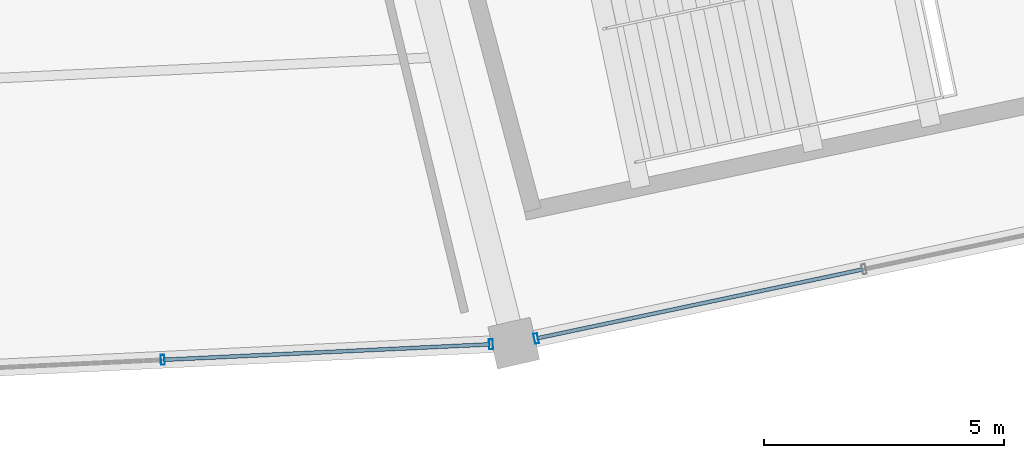
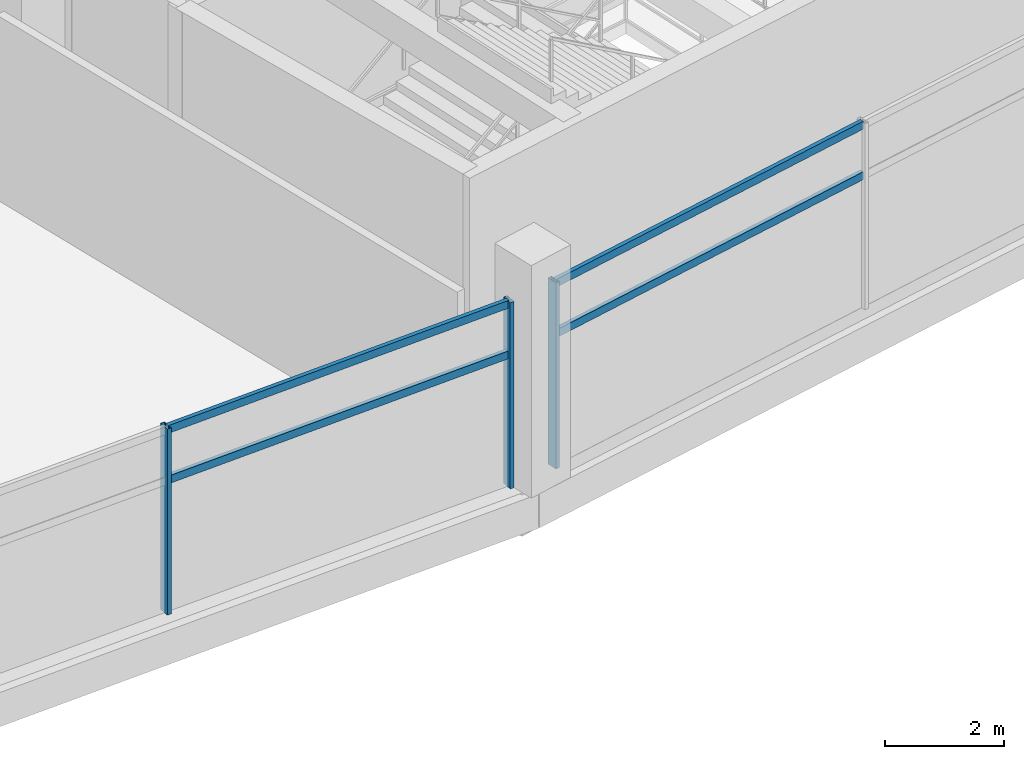
# One storey, part 30 of 171: 7 members, 2 elements without a shape of their own.
"""IFC4 building model written with IfcOpenShell, lengths in metres."""

from ifc_helpers import new_model, si_unit, direction, frame, origin, origin_2d, place, context, subcontext, project, spatial, hollow_rectangle, extrude, material, layer, layer_set, material_profile, profile_set, type_object, element, aggregate, save


model = new_model("IFC4")

# Units and contexts
model_context = context("Model", 3, precision=1e-05, world=origin(), true_north=direction((0.0, 1.0)))
body_context = subcontext(model_context, "Body", "Model", "MODEL_VIEW")
ifc_project = project(units=[si_unit("LENGTHUNIT", "METRE"), si_unit("AREAUNIT", "SQUARE_METRE"), si_unit("VOLUMEUNIT", "CUBIC_METRE"), si_unit("PLANEANGLEUNIT", "RADIAN"), si_unit("MASSUNIT", "GRAM", prefix="KILO")], contexts=[model_context])

# Site, building, storey
site_placement = place(None, origin())
site = spatial("IfcSite", under=ifc_project, at=site_placement, CompositionType="ELEMENT")
building_placement = place(site_placement, origin())
building = spatial("IfcBuilding", under=site, at=building_placement, Name="Kazemori Nagisa Stadium", CompositionType="ELEMENT")
storey_placement = place(building_placement, frame((0.0, 0.0, 15.639892578125)))
storey = spatial("IfcBuildingStorey", under=building, at=storey_placement, Name="L03", CompositionType="ELEMENT", Elevation=15.639892578125)

# Curtain wall, members
ifc_material_1 = material(Name="Anodised aluminium 6063-T5", Category="aluminium")
ifc_layer_1 = layer(ifc_material_1, 0.2099609375, Name="Anodised aluminium 6063-T5", Category="aluminium")
ifc_layer_set_1 = layer_set([ifc_layer_1], Name="Anodised aluminium 6063-T5")
curtain_wall_type_1 = type_object("IfcCurtainWallType", Name="CW_L03R3_103", PredefinedType="USERDEFINED", material=ifc_layer_set_1)
curtain_wall_1_placement = place(storey_placement, origin())
curtain_wall_1 = element("IfcCurtainWall", 1, at=curtain_wall_1_placement, inside=storey, type_object=curtain_wall_type_1, Name="Unitised curtain wall CW-L03R3-103 L03", ObjectType="UNITISED CURTAIN WALL", PredefinedType="USERDEFINED")
ifc_material_2 = material(Name="Aluminium 6063-T5 anodised", Category="aluminium")
ifc_material_profile_1 = material_profile(ifc_material_2, hollow_rectangle(XDim=0.080078125, YDim=0.2099609375, WallThickness=0.0048828125, at=origin_2d()), Name="ALU-MULL-80x210x5")
ifc_profile_set_1 = profile_set([ifc_material_profile_1], Name="Aluminium 6063-T5 anodised")
member_type_1 = type_object("IfcMemberType", Name="Mullion_M02", PredefinedType="MULLION", material=ifc_profile_set_1)
member_1_placement = place(storey_placement, frame((137.126953125, 16.66796875, 0.0), z_axis=(0.0, 0.0, 1.0), x_axis=(0.998884022476, 0.047230388971, 0.0)))
member_1 = element("IfcMember", 2, at=member_1_placement, type_object=member_type_1, Name="Curtain wall mullion CW-L03R3-103-M3", PredefinedType="MULLION", context=body_context, shape_type="SweptSolid", body=[
    extrude(hollow_rectangle(XDim=0.080078125, YDim=0.2099609375, WallThickness=0.0048828125, at=origin_2d()), origin(), (0.0, 0.0, 1.0), 3.81005859375),
])
member_2_placement = place(storey_placement, frame((143.953125, 16.99072265625, 0.0), z_axis=(0.0, 0.0, 1.0), x_axis=(0.998884022476, 0.047230388971, 0.0)))
member_2 = element("IfcMember", 3, at=member_2_placement, type_object=member_type_1, Name="Curtain wall mullion CW-L03R3-103-M4", PredefinedType="MULLION", context=body_context, shape_type="SweptSolid", body=[
    extrude(hollow_rectangle(XDim=0.080078125, YDim=0.2099609375, WallThickness=0.0048828125, at=origin_2d()), origin(), (0.0, 0.0, 1.0), 3.81005859375),
])

# Curtain wall, member
ifc_layer_2 = layer(ifc_material_1, 0.2099609375, Name="Anodised aluminium 6063-T5", Category="aluminium")
ifc_layer_set_2 = layer_set([ifc_layer_2], Name="Anodised aluminium 6063-T5")
curtain_wall_type_2 = type_object("IfcCurtainWallType", Name="CW_L03R3_105", PredefinedType="USERDEFINED", material=ifc_layer_set_2)
curtain_wall_2_placement = place(storey_placement, origin())
curtain_wall_2 = element("IfcCurtainWall", 4, at=curtain_wall_2_placement, inside=storey, type_object=curtain_wall_type_2, Name="Unitised curtain wall CW-L03R3-105 L03", ObjectType="UNITISED CURTAIN WALL", PredefinedType="USERDEFINED")
member_3_placement = place(storey_placement, frame((144.892333984375, 17.111572265625, 0.0), z_axis=(0.0, 0.0, 1.0), x_axis=(0.978344955407, 0.206981033502, 0.0)))
member_3 = element("IfcMember", 5, at=member_3_placement, type_object=member_type_1, Name="Curtain wall mullion CW-L03R3-105-M1", PredefinedType="MULLION", context=body_context, shape_type="SweptSolid", body=[
    extrude(hollow_rectangle(XDim=0.080078125, YDim=0.2099609375, WallThickness=0.0048828125, at=origin_2d()), origin(), (0.0, 0.0, 1.0), 3.81005859375),
])

# Member
ifc_material_profile_2 = material_profile(ifc_material_2, hollow_rectangle(XDim=0.080078125, YDim=0.159912109375, WallThickness=0.00390625, at=origin_2d()), Name="ALU-TRAN-80x160x4")
ifc_profile_set_2 = profile_set([ifc_material_profile_2], Name="Aluminium 6063-T5 anodised")
member_type_2 = type_object("IfcMemberType", Name="Transom_T02", PredefinedType="USERDEFINED", material=ifc_profile_set_2)
member_4_placement = place(storey_placement, frame((137.14697265625, 16.6689453125, 2.705322265625), z_axis=(0.998884581669, 0.047218561007, 0.0), x_axis=(-0.047218561007, 0.998884581669, 0.0)))
member_4 = element("IfcMember", 6, at=member_4_placement, type_object=member_type_2, Name="Curtain wall transom CW-L03R3-103-T3-mid", ObjectType="TRANSOM", PredefinedType="USERDEFINED", context=body_context, shape_type="SweptSolid", body=[
    extrude(hollow_rectangle(XDim=0.080078125, YDim=0.159912109375, WallThickness=0.00390625, at=origin_2d()), origin(), (0.0, 0.0, 1.0), 6.7939453125),
])

member_5_placement = place(storey_placement, frame((137.14697265625, 16.6689453125, 3.739990234375), z_axis=(0.998884581669, 0.047218561007, 0.0), x_axis=(-0.047218561007, 0.998884581669, 0.0)))
member_5 = element("IfcMember", 7, at=member_5_placement, type_object=member_type_2, Name="Curtain wall transom CW-L03R3-103-T3-head", ObjectType="TRANSOM", PredefinedType="USERDEFINED", context=body_context, shape_type="SweptSolid", body=[
    extrude(hollow_rectangle(XDim=0.080078125, YDim=0.159912109375, WallThickness=0.00390625, at=origin_2d()), origin(), (0.0, 0.0, 1.0), 6.7939453125),
])

aggregate(curtain_wall_1, [member_1, member_2, member_4, member_5])

member_6_placement = place(storey_placement, frame((144.911865234375, 17.11572265625, 2.705322265625), z_axis=(0.978348879673, 0.20696248366, 0.0), x_axis=(-0.20696248366, 0.978348879673, 0.0)))
member_6 = element("IfcMember", 8, at=member_6_placement, type_object=member_type_2, Name="Curtain wall transom CW-L03R3-105-T1-mid", ObjectType="TRANSOM", PredefinedType="USERDEFINED", context=body_context, shape_type="SweptSolid", body=[
    extrude(hollow_rectangle(XDim=0.080078125, YDim=0.159912109375, WallThickness=0.00390625, at=origin_2d()), origin(), (0.0, 0.0, 1.0), 6.9267578125),
])

member_7_placement = place(storey_placement, frame((144.911865234375, 17.11572265625, 3.739990234375), z_axis=(0.978348879673, 0.20696248366, 0.0), x_axis=(-0.20696248366, 0.978348879673, 0.0)))
member_7 = element("IfcMember", 9, at=member_7_placement, type_object=member_type_2, Name="Curtain wall transom CW-L03R3-105-T1-head", ObjectType="TRANSOM", PredefinedType="USERDEFINED", context=body_context, shape_type="SweptSolid", body=[
    extrude(hollow_rectangle(XDim=0.080078125, YDim=0.159912109375, WallThickness=0.00390625, at=origin_2d()), origin(), (0.0, 0.0, 1.0), 6.9267578125),
])

aggregate(curtain_wall_2, [member_3, member_6, member_7])

save(model, "model.ifc")
